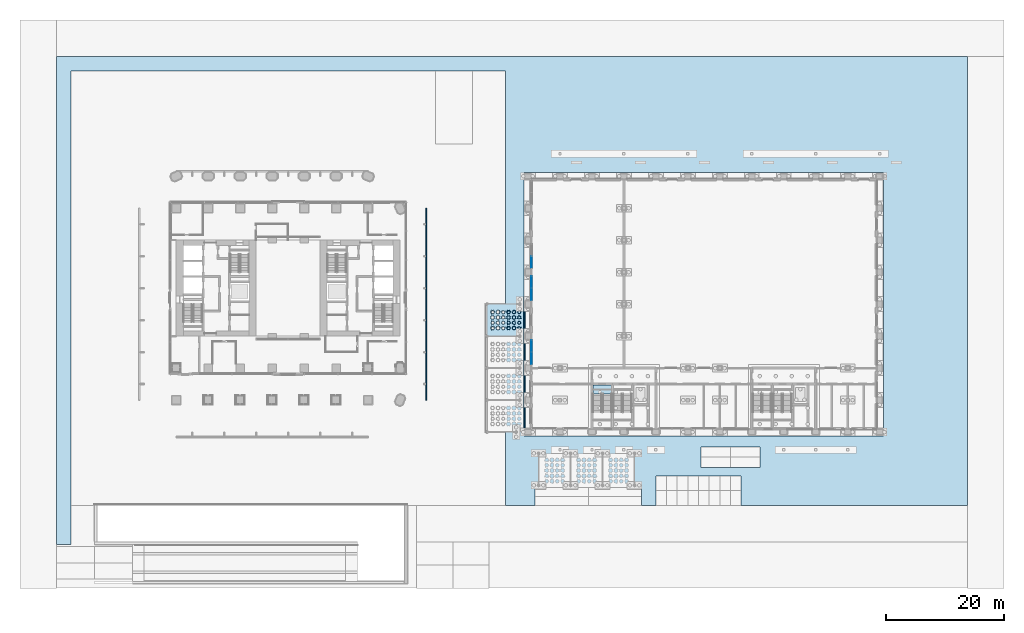
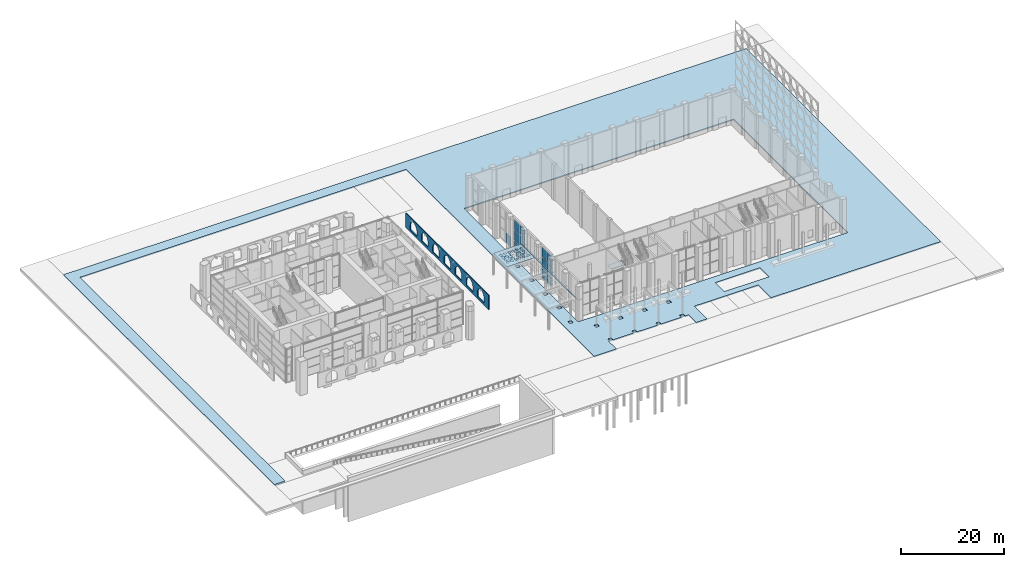
# One storey, part 24 of 54: 16 plates, 2 slabs, 4 elements without a shape of their own.
"""IFC4 building model written with IfcOpenShell, lengths in metres."""

from ifc_helpers import new_model, si_unit, direction, frame, origin, origin_2d, place, context, subcontext, project, spatial, polyline, rectangle, outline, extrude, material, layer, layer_set, type_object, element, aggregate, save


model = new_model("IFC4")

# Units and contexts
model_context = context("Model", 3, precision=1e-05, world=origin(), true_north=direction((0.0, 1.0)))
body_context = subcontext(model_context, "Body", "Model", "MODEL_VIEW")
ifc_project = project(units=[si_unit("LENGTHUNIT", "METRE"), si_unit("AREAUNIT", "SQUARE_METRE"), si_unit("VOLUMEUNIT", "CUBIC_METRE"), si_unit("PLANEANGLEUNIT", "RADIAN"), si_unit("MASSUNIT", "GRAM", prefix="KILO")], contexts=[model_context])

# Site, building, storey
site_placement = place(None, origin())
site = spatial("IfcSite", under=ifc_project, at=site_placement, CompositionType="ELEMENT")
building_placement = place(site_placement, origin())
building = spatial("IfcBuilding", under=site, at=building_placement, Name="Tabaq Tower and Sports Hall", CompositionType="ELEMENT")
storey_placement = place(building_placement, origin())
storey = spatial("IfcBuildingStorey", under=building, at=storey_placement, Name="L00", CompositionType="ELEMENT", Elevation=0.0)

# Curtain wall, plates
ifc_material_1 = material(Name="Aluminium alloy 6063-T6 framed glazing", Category="aluminium")
curtain_wall_type = type_object("IfcCurtainWallType", Name="CW6 curtain wall", PredefinedType="USERDEFINED", material=ifc_material_1)
curtain_wall_1_placement = place(storey_placement, origin())
curtain_wall_1 = element("IfcCurtainWall", 1, at=curtain_wall_1_placement, inside=storey, type_object=curtain_wall_type, Name="L00 W hall glazing run", ObjectType="HALL FACADE WALL", PredefinedType="USERDEFINED")
ifc_material_2 = material(Name="Clear low-emissivity glass 28 mm", Category="glass")
ifc_layer_1 = layer(ifc_material_2, 0.031982421875)
ifc_layer_set_1 = layer_set([ifc_layer_1], Name="CW6 glass panel 32")
plate_type_1 = type_object("IfcPlateType", Name="CW6 glass panel 32", PredefinedType="CURTAIN_PANEL", material=ifc_layer_set_1)
plate_1_placement = place(storey_placement, frame((65.39990234375, 12.467529296875, 0.16015625), z_axis=(0.0, 0.0, 1.0), x_axis=(0.0, 1.0, 0.0)))
plate_1 = element("IfcPlate", 2, at=plate_1_placement, type_object=plate_type_1, Name="CW6 panel 1.1", PredefinedType="CURTAIN_PANEL", context=body_context, shape_type="SweptSolid", body=[
    extrude(rectangle(XDim=1.9951171875, YDim=0.031982421875, at=origin_2d()), origin(), (0.0, 0.0, 1.0), 2.360107421875),
])
plate_2_placement = place(storey_placement, frame((65.39990234375, 12.467529296875, 2.679931640625), z_axis=(0.0, 0.0, 1.0), x_axis=(0.0, 1.0, 0.0)))
plate_2 = element("IfcPlate", 3, at=plate_2_placement, type_object=plate_type_1, Name="CW6 panel 1.2", PredefinedType="CURTAIN_PANEL", context=body_context, shape_type="SweptSolid", body=[
    extrude(rectangle(XDim=1.9951171875, YDim=0.031982421875, at=origin_2d()), origin(), (0.0, 0.0, 1.0), 2.43994140625),
])
plate_3_placement = place(storey_placement, frame((65.39990234375, 12.467529296875, 5.27978515625), z_axis=(0.0, 0.0, 1.0), x_axis=(0.0, 1.0, 0.0)))
plate_3 = element("IfcPlate", 4, at=plate_3_placement, type_object=plate_type_1, Name="CW6 panel 1.3", PredefinedType="CURTAIN_PANEL", context=body_context, shape_type="SweptSolid", body=[
    extrude(rectangle(XDim=1.9951171875, YDim=0.031982421875, at=origin_2d()), origin(), (0.0, 0.0, 1.0), 2.360107421875),
])
plate_4_placement = place(storey_placement, frame((65.39990234375, 14.532470703125, 0.16015625), z_axis=(0.0, 0.0, 1.0), x_axis=(0.0, 1.0, 0.0)))
plate_4 = element("IfcPlate", 5, at=plate_4_placement, type_object=plate_type_1, Name="CW6 panel 2.1", PredefinedType="CURTAIN_PANEL", context=body_context, shape_type="SweptSolid", body=[
    extrude(rectangle(XDim=1.9951171875, YDim=0.031982421875, at=origin_2d()), origin(), (0.0, 0.0, 1.0), 2.360107421875),
])
plate_5_placement = place(storey_placement, frame((65.39990234375, 14.532470703125, 2.679931640625), z_axis=(0.0, 0.0, 1.0), x_axis=(0.0, 1.0, 0.0)))
plate_5 = element("IfcPlate", 6, at=plate_5_placement, type_object=plate_type_1, Name="CW6 panel 2.2", PredefinedType="CURTAIN_PANEL", context=body_context, shape_type="SweptSolid", body=[
    extrude(rectangle(XDim=1.9951171875, YDim=0.031982421875, at=origin_2d()), origin(), (0.0, 0.0, 1.0), 2.43994140625),
])
plate_6_placement = place(storey_placement, frame((65.39990234375, 14.532470703125, 5.27978515625), z_axis=(0.0, 0.0, 1.0), x_axis=(0.0, 1.0, 0.0)))
plate_6 = element("IfcPlate", 7, at=plate_6_placement, type_object=plate_type_1, Name="CW6 panel 2.3", PredefinedType="CURTAIN_PANEL", context=body_context, shape_type="SweptSolid", body=[
    extrude(rectangle(XDim=1.9951171875, YDim=0.031982421875, at=origin_2d()), origin(), (0.0, 0.0, 1.0), 2.360107421875),
])
aggregate(curtain_wall_1, [plate_1, plate_2, plate_3, plate_4, plate_5, plate_6])

curtain_wall_2_placement = place(storey_placement, origin())
curtain_wall_2 = element("IfcCurtainWall", 8, at=curtain_wall_2_placement, inside=storey, type_object=curtain_wall_type, Name="L00 W hall glazing run", ObjectType="HALL FACADE WALL", PredefinedType="USERDEFINED")
plate_7_placement = place(storey_placement, frame((65.39990234375, 23.267578125, 0.16015625), z_axis=(0.0, 0.0, 1.0), x_axis=(0.0, 1.0, 0.0)))
plate_7 = element("IfcPlate", 9, at=plate_7_placement, type_object=plate_type_1, Name="CW6 panel 1.1", PredefinedType="CURTAIN_PANEL", context=body_context, shape_type="SweptSolid", body=[
    extrude(rectangle(XDim=1.9951171875, YDim=0.031982421875, at=origin_2d()), origin(), (0.0, 0.0, 1.0), 2.360107421875),
])
plate_8_placement = place(storey_placement, frame((65.39990234375, 23.267578125, 2.679931640625), z_axis=(0.0, 0.0, 1.0), x_axis=(0.0, 1.0, 0.0)))
plate_8 = element("IfcPlate", 10, at=plate_8_placement, type_object=plate_type_1, Name="CW6 panel 1.2", PredefinedType="CURTAIN_PANEL", context=body_context, shape_type="SweptSolid", body=[
    extrude(rectangle(XDim=1.9951171875, YDim=0.031982421875, at=origin_2d()), origin(), (0.0, 0.0, 1.0), 2.43994140625),
])
plate_9_placement = place(storey_placement, frame((65.39990234375, 23.267578125, 5.27978515625), z_axis=(0.0, 0.0, 1.0), x_axis=(0.0, 1.0, 0.0)))
plate_9 = element("IfcPlate", 11, at=plate_9_placement, type_object=plate_type_1, Name="CW6 panel 1.3", PredefinedType="CURTAIN_PANEL", context=body_context, shape_type="SweptSolid", body=[
    extrude(rectangle(XDim=1.9951171875, YDim=0.031982421875, at=origin_2d()), origin(), (0.0, 0.0, 1.0), 2.360107421875),
])
plate_10_placement = place(storey_placement, frame((65.39990234375, 25.33251953125, 0.16015625), z_axis=(0.0, 0.0, 1.0), x_axis=(0.0, 1.0, 0.0)))
plate_10 = element("IfcPlate", 12, at=plate_10_placement, type_object=plate_type_1, Name="CW6 panel 2.1", PredefinedType="CURTAIN_PANEL", context=body_context, shape_type="SweptSolid", body=[
    extrude(rectangle(XDim=1.9951171875, YDim=0.031982421875, at=origin_2d()), origin(), (0.0, 0.0, 1.0), 2.360107421875),
])
plate_11_placement = place(storey_placement, frame((65.39990234375, 25.33251953125, 2.679931640625), z_axis=(0.0, 0.0, 1.0), x_axis=(0.0, 1.0, 0.0)))
plate_11 = element("IfcPlate", 13, at=plate_11_placement, type_object=plate_type_1, Name="CW6 panel 2.2", PredefinedType="CURTAIN_PANEL", context=body_context, shape_type="SweptSolid", body=[
    extrude(rectangle(XDim=1.9951171875, YDim=0.031982421875, at=origin_2d()), origin(), (0.0, 0.0, 1.0), 2.43994140625),
])
plate_12_placement = place(storey_placement, frame((65.39990234375, 25.33251953125, 5.27978515625), z_axis=(0.0, 0.0, 1.0), x_axis=(0.0, 1.0, 0.0)))
plate_12 = element("IfcPlate", 14, at=plate_12_placement, type_object=plate_type_1, Name="CW6 panel 2.3", PredefinedType="CURTAIN_PANEL", context=body_context, shape_type="SweptSolid", body=[
    extrude(rectangle(XDim=1.9951171875, YDim=0.031982421875, at=origin_2d()), origin(), (0.0, 0.0, 1.0), 2.360107421875),
])
aggregate(curtain_wall_2, [plate_7, plate_8, plate_9, plate_10, plate_11, plate_12])

# Curtain wall, plate
curtain_wall_3_placement = place(storey_placement, origin())
curtain_wall_3 = element("IfcCurtainWall", 15, at=curtain_wall_3_placement, inside=storey, type_object=curtain_wall_type, Name="L00 W hall glazing run", ObjectType="HALL FACADE WALL", PredefinedType="USERDEFINED")
plate_13_placement = place(storey_placement, frame((65.39990234375, 28.66748046875, 0.16015625), z_axis=(0.0, 0.0, 1.0), x_axis=(0.0, 1.0, 0.0)))
plate_13 = element("IfcPlate", 16, at=plate_13_placement, type_object=plate_type_1, Name="CW6 panel 1.1", PredefinedType="CURTAIN_PANEL", context=body_context, shape_type="SweptSolid", body=[
    extrude(rectangle(XDim=1.9951171875, YDim=0.031982421875, at=origin_2d()), origin(), (0.0, 0.0, 1.0), 2.360107421875),
])
aggregate(curtain_wall_3, [plate_13])

# Stair, slab
ifc_material_3 = material(Name="Concrete C40/50", Category="concrete")
stair_type = type_object("IfcStairType", Name="HALL STAIR HALF-TURN", PredefinedType="HALF_TURN_STAIR", material=ifc_material_3)
stair_placement = place(storey_placement, origin())
stair = element("IfcStair", 17, at=stair_placement, inside=storey, type_object=stair_type, Name="L00 Stair H1", PredefinedType="HALF_TURN_STAIR")
ifc_material_4 = material(Name="Concrete C40/50", Category="concrete")
ifc_layer_2 = layer(ifc_material_4, 0.199951171875)
ifc_layer_set_2 = layer_set([ifc_layer_2], Name="HALL STAIR LANDING 200")
slab_type_1 = type_object("IfcSlabType", Name="HALL STAIR LANDING 200", PredefinedType="LANDING", material=ifc_layer_set_2)
slab_1_placement = place(storey_placement, frame((0.0, 0.0, 4.0)))
slab_1 = element("IfcSlab", 18, at=slab_1_placement, type_object=slab_type_1, Name="ST-H1 landing 2", PredefinedType="LANDING", context=body_context, shape_type="SweptSolid", body=[
    extrude(outline(polyline([(75.75, 7.949951171875), (75.75, 6.449951171875), (78.89990234375, 6.449951171875), (78.89990234375, 7.949951171875), (75.75, 7.949951171875)])), origin(), (0.0, 0.0, 1.0), 0.199951171875),
])
aggregate(stair, [slab_1])

# Plate
ifc_material_5 = material(Name="Stainless steel grade 1.4401 cover plate", Category="steel")
ifc_layer_3 = layer(ifc_material_5, 0.010009765625)
ifc_layer_set_3 = layer_set([ifc_layer_3], Name="MOVEMENT JOINT COVER 10")
plate_type_2 = type_object("IfcPlateType", Name="MOVEMENT JOINT COVER 10", PredefinedType="USERDEFINED", material=ifc_layer_set_3)
plate_14_placement = place(storey_placement, frame((0.0, 0.0, 5.050048828125)))
element("IfcPlate", 19, at=plate_14_placement, inside=storey, type_object=plate_type_2, Name="Movement joint cover", ObjectType="JOINT COVER", PredefinedType="USERDEFINED", context=body_context, shape_type="SweptSolid", body=[
    extrude(outline(polyline([(64.10009765625, 0.0), (64.35009765625, 0.0), (64.35009765625, 21.60009765625), (64.10009765625, 21.60009765625), (64.10009765625, 0.0)])), origin(), (0.0, 0.0, 1.0), 0.010009765625),
])

# Slab
ifc_material_6 = material(Name="Precast concrete C35/45 paving units on compacted limestone sub-base", Category="masonry")
ifc_layer_4 = layer(ifc_material_6, 0.25)
ifc_layer_set_4 = layer_set([ifc_layer_4], Name="PLAZA PAVING 250")
slab_type_2 = type_object("IfcSlabType", Name="PLAZA PAVING 250", PredefinedType="USERDEFINED", material=ifc_layer_set_4)
slab_2_placement = place(storey_placement, frame((0.0, 0.0, -0.25)))
element("IfcSlab", 20, at=slab_2_placement, inside=storey, type_object=slab_type_2, Name="Plaza and forecourt paving", ObjectType="PAVING", PredefinedType="USERDEFINED", context=body_context, shape_type="SweptSolid", body=[
    extrude(outline(polyline([(100.800048828125, -12.39990234375), (139.0, -12.39990234375), (139.0, 61.0), (139.0, 63.39990234375), (61.0, 63.39990234375), (-12.39990234375, 63.39990234375), (-14.800048828125, 63.39990234375), (-14.800048828125, -19.0), (-12.39990234375, -19.0), (-12.39990234375, -12.39990234375), (-12.39990234375, 61.0), (61.0, 61.0), (61.0, -12.39990234375), (66.0, -12.39990234375), (66.0, -9.39990234375), (66.199951171875, -9.39990234375), (66.199951171875, -8.60009765625), (67.0, -8.60009765625), (67.0, -9.39990234375), (71.60009765625, -9.39990234375), (71.60009765625, -8.60009765625), (72.39990234375, -8.60009765625), (72.39990234375, -9.39990234375), (77.0, -9.39990234375), (77.0, -8.60009765625), (77.800048828125, -8.60009765625), (77.800048828125, -9.39990234375), (82.39990234375, -9.39990234375), (82.39990234375, -8.60009765625), (83.199951171875, -8.60009765625), (83.199951171875, -9.39990234375), (84.0, -9.39990234375), (84.0, -12.39990234375), (86.39990234375, -12.39990234375), (86.39990234375, -7.39990234375), (90.0, -7.39990234375), (93.60009765625, -7.39990234375), (97.199951171875, -7.39990234375), (100.800048828125, -7.39990234375), (100.800048828125, -12.39990234375)]), holes=[polyline([(124.85009765625, 43.85009765625), (124.85009765625, -0.64990234375), (64.14990234375, -0.64990234375), (64.14990234375, 43.85009765625), (124.85009765625, 43.85009765625)]), polyline([(94.0, -6.0), (94.0, -2.5), (104.0, -2.5), (104.0, -6.0), (94.0, -6.0)]), polyline([(67.0, -4.0), (66.199951171875, -4.0), (66.199951171875, -3.199951171875), (67.0, -3.199951171875), (67.0, -4.0)]), polyline([(63.199951171875, -0.39990234375), (62.39990234375, -0.39990234375), (62.39990234375, 0.39990234375), (63.199951171875, 0.39990234375), (63.199951171875, -0.39990234375)]), polyline([(63.800048828125, 5.800048828125), (63.800048828125, 5.0), (63.0, 5.0), (63.0, 5.800048828125), (63.800048828125, 5.800048828125)]), polyline([(63.800048828125, 10.39990234375), (63.0, 10.39990234375), (63.0, 11.199951171875), (63.800048828125, 11.199951171875), (63.800048828125, 10.39990234375)]), polyline([(63.800048828125, 15.800048828125), (63.0, 15.800048828125), (63.0, 16.60009765625), (63.800048828125, 16.60009765625), (63.800048828125, 15.800048828125)]), polyline([(63.800048828125, 22.0), (63.800048828125, 21.199951171875), (63.0, 21.199951171875), (63.0, 22.0), (63.800048828125, 22.0)]), polyline([(72.39990234375, -4.0), (71.60009765625, -4.0), (71.60009765625, -3.199951171875), (72.39990234375, -3.199951171875), (72.39990234375, -4.0)]), polyline([(77.800048828125, -4.0), (77.0, -4.0), (77.0, -3.199951171875), (77.800048828125, -3.199951171875), (77.800048828125, -4.0)]), polyline([(83.199951171875, -4.0), (82.39990234375, -4.0), (82.39990234375, -3.199951171875), (83.199951171875, -3.199951171875), (83.199951171875, -4.0)])]), origin(), (0.0, 0.0, 1.0), 0.25),
])

# Plates
ifc_material_7 = material(Name="Stainless steel grade 1.4401 pierced panel", Category="steel")
ifc_layer_5 = layer(ifc_material_7, 0.050048828125)
ifc_layer_set_5 = layer_set([ifc_layer_5], Name="SCREEN PIERCED STAR PANEL 50")
plate_type_3 = type_object("IfcPlateType", Name="SCREEN PIERCED STAR PANEL 50", PredefinedType="USERDEFINED", material=ifc_layer_set_5)
plate_15_placement = place(storey_placement, frame((0.0, 0.0, 5.0)))
element("IfcPlate", 21, at=plate_15_placement, inside=storey, type_object=plate_type_3, Name="Plaza canopy screen 4", ObjectType="SCREEN", PredefinedType="USERDEFINED", context=body_context, shape_type="SweptSolid", body=[
    extrude(outline(polyline([(57.89990234375, 16.2099609375), (64.25, 16.2099609375), (64.25, 21.590087890625), (57.89990234375, 21.590087890625), (57.89990234375, 16.2099609375)]), holes=[polyline([(59.02490234375, 17.550048828125), (59.194580078125, 17.39697265625), (58.96630859375, 17.40869140625), (58.97802734375, 17.180419921875), (58.824951171875, 17.35009765625), (58.671875, 17.180419921875), (58.68359375, 17.40869140625), (58.455322265625, 17.39697265625), (58.625, 17.550048828125), (58.455322265625, 17.703125), (58.68359375, 17.69140625), (58.671875, 17.919677734375), (58.824951171875, 17.75), (58.97802734375, 17.919677734375), (58.96630859375, 17.69140625), (59.194580078125, 17.703125), (59.02490234375, 17.550048828125)]), polyline([(59.02490234375, 18.449951171875), (59.194580078125, 18.296875), (58.96630859375, 18.30859375), (58.97802734375, 18.080322265625), (58.824951171875, 18.25), (58.671875, 18.080322265625), (58.68359375, 18.30859375), (58.455322265625, 18.296875), (58.625, 18.449951171875), (58.455322265625, 18.60302734375), (58.68359375, 18.59130859375), (58.671875, 18.819580078125), (58.824951171875, 18.64990234375), (58.97802734375, 18.819580078125), (58.96630859375, 18.59130859375), (59.194580078125, 18.60302734375), (59.02490234375, 18.449951171875)]), polyline([(59.02490234375, 19.35009765625), (59.194580078125, 19.197021484375), (58.96630859375, 19.20849609375), (58.97802734375, 18.98046875), (58.824951171875, 19.14990234375), (58.671875, 18.98046875), (58.68359375, 19.20849609375), (58.455322265625, 19.197021484375), (58.625, 19.35009765625), (58.455322265625, 19.503173828125), (58.68359375, 19.491455078125), (58.671875, 19.719482421875), (58.824951171875, 19.550048828125), (58.97802734375, 19.719482421875), (58.96630859375, 19.491455078125), (59.194580078125, 19.503173828125), (59.02490234375, 19.35009765625)]), polyline([(59.02490234375, 20.25), (59.194580078125, 20.096923828125), (58.96630859375, 20.108642578125), (58.97802734375, 19.88037109375), (58.824951171875, 20.050048828125), (58.671875, 19.88037109375), (58.68359375, 20.108642578125), (58.455322265625, 20.096923828125), (58.625, 20.25), (58.455322265625, 20.403076171875), (58.68359375, 20.391357421875), (58.671875, 20.61962890625), (58.824951171875, 20.449951171875), (58.97802734375, 20.61962890625), (58.96630859375, 20.391357421875), (59.194580078125, 20.403076171875), (59.02490234375, 20.25)]), polyline([(59.925048828125, 17.550048828125), (60.094482421875, 17.39697265625), (59.866455078125, 17.40869140625), (59.878173828125, 17.180419921875), (59.72509765625, 17.35009765625), (59.572021484375, 17.180419921875), (59.58349609375, 17.40869140625), (59.35546875, 17.39697265625), (59.52490234375, 17.550048828125), (59.35546875, 17.703125), (59.58349609375, 17.69140625), (59.572021484375, 17.919677734375), (59.72509765625, 17.75), (59.878173828125, 17.919677734375), (59.866455078125, 17.69140625), (60.094482421875, 17.703125), (59.925048828125, 17.550048828125)]), polyline([(59.925048828125, 18.449951171875), (60.094482421875, 18.296875), (59.866455078125, 18.30859375), (59.878173828125, 18.080322265625), (59.72509765625, 18.25), (59.572021484375, 18.080322265625), (59.58349609375, 18.30859375), (59.35546875, 18.296875), (59.52490234375, 18.449951171875), (59.35546875, 18.60302734375), (59.58349609375, 18.59130859375), (59.572021484375, 18.819580078125), (59.72509765625, 18.64990234375), (59.878173828125, 18.819580078125), (59.866455078125, 18.59130859375), (60.094482421875, 18.60302734375), (59.925048828125, 18.449951171875)]), polyline([(59.925048828125, 19.35009765625), (60.094482421875, 19.197021484375), (59.866455078125, 19.20849609375), (59.878173828125, 18.98046875), (59.72509765625, 19.14990234375), (59.572021484375, 18.98046875), (59.58349609375, 19.20849609375), (59.35546875, 19.197021484375), (59.52490234375, 19.35009765625), (59.35546875, 19.503173828125), (59.58349609375, 19.491455078125), (59.572021484375, 19.719482421875), (59.72509765625, 19.550048828125), (59.878173828125, 19.719482421875), (59.866455078125, 19.491455078125), (60.094482421875, 19.503173828125), (59.925048828125, 19.35009765625)]), polyline([(59.925048828125, 20.25), (60.094482421875, 20.096923828125), (59.866455078125, 20.108642578125), (59.878173828125, 19.88037109375), (59.72509765625, 20.050048828125), (59.572021484375, 19.88037109375), (59.58349609375, 20.108642578125), (59.35546875, 20.096923828125), (59.52490234375, 20.25), (59.35546875, 20.403076171875), (59.58349609375, 20.391357421875), (59.572021484375, 20.61962890625), (59.72509765625, 20.449951171875), (59.878173828125, 20.61962890625), (59.866455078125, 20.391357421875), (60.094482421875, 20.403076171875), (59.925048828125, 20.25)]), polyline([(60.824951171875, 17.550048828125), (60.99462890625, 17.39697265625), (60.766357421875, 17.40869140625), (60.778076171875, 17.180419921875), (60.625, 17.35009765625), (60.471923828125, 17.180419921875), (60.483642578125, 17.40869140625), (60.25537109375, 17.39697265625), (60.425048828125, 17.550048828125), (60.25537109375, 17.703125), (60.483642578125, 17.69140625), (60.471923828125, 17.919677734375), (60.625, 17.75), (60.778076171875, 17.919677734375), (60.766357421875, 17.69140625), (60.99462890625, 17.703125), (60.824951171875, 17.550048828125)]), polyline([(60.824951171875, 18.449951171875), (60.99462890625, 18.296875), (60.766357421875, 18.30859375), (60.778076171875, 18.080322265625), (60.625, 18.25), (60.471923828125, 18.080322265625), (60.483642578125, 18.30859375), (60.25537109375, 18.296875), (60.425048828125, 18.449951171875), (60.25537109375, 18.60302734375), (60.483642578125, 18.59130859375), (60.471923828125, 18.819580078125), (60.625, 18.64990234375), (60.778076171875, 18.819580078125), (60.766357421875, 18.59130859375), (60.99462890625, 18.60302734375), (60.824951171875, 18.449951171875)]), polyline([(60.824951171875, 19.35009765625), (60.99462890625, 19.197021484375), (60.766357421875, 19.20849609375), (60.778076171875, 18.98046875), (60.625, 19.14990234375), (60.471923828125, 18.98046875), (60.483642578125, 19.20849609375), (60.25537109375, 19.197021484375), (60.425048828125, 19.35009765625), (60.25537109375, 19.503173828125), (60.483642578125, 19.491455078125), (60.471923828125, 19.719482421875), (60.625, 19.550048828125), (60.778076171875, 19.719482421875), (60.766357421875, 19.491455078125), (60.99462890625, 19.503173828125), (60.824951171875, 19.35009765625)]), polyline([(60.824951171875, 20.25), (60.99462890625, 20.096923828125), (60.766357421875, 20.108642578125), (60.778076171875, 19.88037109375), (60.625, 20.050048828125), (60.471923828125, 19.88037109375), (60.483642578125, 20.108642578125), (60.25537109375, 20.096923828125), (60.425048828125, 20.25), (60.25537109375, 20.403076171875), (60.483642578125, 20.391357421875), (60.471923828125, 20.61962890625), (60.625, 20.449951171875), (60.778076171875, 20.61962890625), (60.766357421875, 20.391357421875), (60.99462890625, 20.403076171875), (60.824951171875, 20.25)]), polyline([(61.72509765625, 17.550048828125), (61.89453125, 17.39697265625), (61.66650390625, 17.40869140625), (61.677978515625, 17.180419921875), (61.52490234375, 17.35009765625), (61.371826171875, 17.180419921875), (61.383544921875, 17.40869140625), (61.155517578125, 17.39697265625), (61.324951171875, 17.550048828125), (61.155517578125, 17.703125), (61.383544921875, 17.69140625), (61.371826171875, 17.919677734375), (61.52490234375, 17.75), (61.677978515625, 17.919677734375), (61.66650390625, 17.69140625), (61.89453125, 17.703125), (61.72509765625, 17.550048828125)]), polyline([(61.72509765625, 18.449951171875), (61.89453125, 18.296875), (61.66650390625, 18.30859375), (61.677978515625, 18.080322265625), (61.52490234375, 18.25), (61.371826171875, 18.080322265625), (61.383544921875, 18.30859375), (61.155517578125, 18.296875), (61.324951171875, 18.449951171875), (61.155517578125, 18.60302734375), (61.383544921875, 18.59130859375), (61.371826171875, 18.819580078125), (61.52490234375, 18.64990234375), (61.677978515625, 18.819580078125), (61.66650390625, 18.59130859375), (61.89453125, 18.60302734375), (61.72509765625, 18.449951171875)]), polyline([(61.72509765625, 19.35009765625), (61.89453125, 19.197021484375), (61.66650390625, 19.20849609375), (61.677978515625, 18.98046875), (61.52490234375, 19.14990234375), (61.371826171875, 18.98046875), (61.383544921875, 19.20849609375), (61.155517578125, 19.197021484375), (61.324951171875, 19.35009765625), (61.155517578125, 19.503173828125), (61.383544921875, 19.491455078125), (61.371826171875, 19.719482421875), (61.52490234375, 19.550048828125), (61.677978515625, 19.719482421875), (61.66650390625, 19.491455078125), (61.89453125, 19.503173828125), (61.72509765625, 19.35009765625)]), polyline([(61.72509765625, 20.25), (61.89453125, 20.096923828125), (61.66650390625, 20.108642578125), (61.677978515625, 19.88037109375), (61.52490234375, 20.050048828125), (61.371826171875, 19.88037109375), (61.383544921875, 20.108642578125), (61.155517578125, 20.096923828125), (61.324951171875, 20.25), (61.155517578125, 20.403076171875), (61.383544921875, 20.391357421875), (61.371826171875, 20.61962890625), (61.52490234375, 20.449951171875), (61.677978515625, 20.61962890625), (61.66650390625, 20.391357421875), (61.89453125, 20.403076171875), (61.72509765625, 20.25)]), polyline([(62.625, 17.550048828125), (62.794677734375, 17.39697265625), (62.56640625, 17.40869140625), (62.578125, 17.180419921875), (62.425048828125, 17.35009765625), (62.27197265625, 17.180419921875), (62.28369140625, 17.40869140625), (62.055419921875, 17.39697265625), (62.22509765625, 17.550048828125), (62.055419921875, 17.703125), (62.28369140625, 17.69140625), (62.27197265625, 17.919677734375), (62.425048828125, 17.75), (62.578125, 17.919677734375), (62.56640625, 17.69140625), (62.794677734375, 17.703125), (62.625, 17.550048828125)]), polyline([(62.625, 18.449951171875), (62.794677734375, 18.296875), (62.56640625, 18.30859375), (62.578125, 18.080322265625), (62.425048828125, 18.25), (62.27197265625, 18.080322265625), (62.28369140625, 18.30859375), (62.055419921875, 18.296875), (62.22509765625, 18.449951171875), (62.055419921875, 18.60302734375), (62.28369140625, 18.59130859375), (62.27197265625, 18.819580078125), (62.425048828125, 18.64990234375), (62.578125, 18.819580078125), (62.56640625, 18.59130859375), (62.794677734375, 18.60302734375), (62.625, 18.449951171875)]), polyline([(62.625, 19.35009765625), (62.794677734375, 19.197021484375), (62.56640625, 19.20849609375), (62.578125, 18.98046875), (62.425048828125, 19.14990234375), (62.27197265625, 18.98046875), (62.28369140625, 19.20849609375), (62.055419921875, 19.197021484375), (62.22509765625, 19.35009765625), (62.055419921875, 19.503173828125), (62.28369140625, 19.491455078125), (62.27197265625, 19.719482421875), (62.425048828125, 19.550048828125), (62.578125, 19.719482421875), (62.56640625, 19.491455078125), (62.794677734375, 19.503173828125), (62.625, 19.35009765625)]), polyline([(62.625, 20.25), (62.794677734375, 20.096923828125), (62.56640625, 20.108642578125), (62.578125, 19.88037109375), (62.425048828125, 20.050048828125), (62.27197265625, 19.88037109375), (62.28369140625, 20.108642578125), (62.055419921875, 20.096923828125), (62.22509765625, 20.25), (62.055419921875, 20.403076171875), (62.28369140625, 20.391357421875), (62.27197265625, 20.61962890625), (62.425048828125, 20.449951171875), (62.578125, 20.61962890625), (62.56640625, 20.391357421875), (62.794677734375, 20.403076171875), (62.625, 20.25)]), polyline([(63.52490234375, 17.550048828125), (63.694580078125, 17.39697265625), (63.46630859375, 17.40869140625), (63.47802734375, 17.180419921875), (63.324951171875, 17.35009765625), (63.171875, 17.180419921875), (63.18359375, 17.40869140625), (62.955322265625, 17.39697265625), (63.125, 17.550048828125), (62.955322265625, 17.703125), (63.18359375, 17.69140625), (63.171875, 17.919677734375), (63.324951171875, 17.75), (63.47802734375, 17.919677734375), (63.46630859375, 17.69140625), (63.694580078125, 17.703125), (63.52490234375, 17.550048828125)]), polyline([(63.52490234375, 18.449951171875), (63.694580078125, 18.296875), (63.46630859375, 18.30859375), (63.47802734375, 18.080322265625), (63.324951171875, 18.25), (63.171875, 18.080322265625), (63.18359375, 18.30859375), (62.955322265625, 18.296875), (63.125, 18.449951171875), (62.955322265625, 18.60302734375), (63.18359375, 18.59130859375), (63.171875, 18.819580078125), (63.324951171875, 18.64990234375), (63.47802734375, 18.819580078125), (63.46630859375, 18.59130859375), (63.694580078125, 18.60302734375), (63.52490234375, 18.449951171875)]), polyline([(63.52490234375, 19.35009765625), (63.694580078125, 19.197021484375), (63.46630859375, 19.20849609375), (63.47802734375, 18.98046875), (63.324951171875, 19.14990234375), (63.171875, 18.98046875), (63.18359375, 19.20849609375), (62.955322265625, 19.197021484375), (63.125, 19.35009765625), (62.955322265625, 19.503173828125), (63.18359375, 19.491455078125), (63.171875, 19.719482421875), (63.324951171875, 19.550048828125), (63.47802734375, 19.719482421875), (63.46630859375, 19.491455078125), (63.694580078125, 19.503173828125), (63.52490234375, 19.35009765625)]), polyline([(63.52490234375, 20.25), (63.694580078125, 20.096923828125), (63.46630859375, 20.108642578125), (63.47802734375, 19.88037109375), (63.324951171875, 20.050048828125), (63.171875, 19.88037109375), (63.18359375, 20.108642578125), (62.955322265625, 20.096923828125), (63.125, 20.25), (62.955322265625, 20.403076171875), (63.18359375, 20.391357421875), (63.171875, 20.61962890625), (63.324951171875, 20.449951171875), (63.47802734375, 20.61962890625), (63.46630859375, 20.391357421875), (63.694580078125, 20.403076171875), (63.52490234375, 20.25)])]), origin(), (0.0, 0.0, 1.0), 0.050048828125),
])
ifc_material_8 = material(Name="White precast concrete C60/75 pierced screen", Category="concrete")
ifc_layer_6 = layer(ifc_material_8, 0.199951171875)
ifc_layer_set_6 = layer_set([ifc_layer_6], Name="White precast concrete C60/75 arcade screen 200")
plate_type_4 = type_object("IfcPlateType", Name="White precast concrete C60/75 arcade screen 200", PredefinedType="USERDEFINED", material=ifc_layer_set_6)
plate_16_placement = place(storey_placement, frame((47.60009765625, 5.39990234375, 5.0), z_axis=(0.0, 0.0, 1.0), x_axis=(0.0, 1.0, 0.0)))
element("IfcPlate", 22, at=plate_16_placement, inside=storey, type_object=plate_type_4, Name="Arcade screen E", ObjectType="SCREEN", PredefinedType="USERDEFINED", context=body_context, shape_type="SweptSolid", body=[
    extrude(outline(polyline([(0.0, 0.0), (32.400146484375, 0.0), (32.400146484375, 3.39990234375), (0.0, 3.39990234375), (0.0, 0.0)]), holes=[polyline([(1.800048828125, 0.5), (4.371337890625, 0.5), (4.371337890625, 1.60009765625), (4.34716796875, 1.859375), (4.275634765625, 2.10986328125), (4.158935546875, 2.343017578125), (4.001220703125, 2.55029296875), (3.807861328125, 2.72509765625), (3.585693359375, 2.861328125), (3.34228515625, 2.953857421875), (3.085693359375, 3.0), (2.829345703125, 2.953857421875), (2.585693359375, 2.861328125), (2.363525390625, 2.72509765625), (2.170166015625, 2.55029296875), (2.012451171875, 2.343017578125), (1.895751953125, 2.10986328125), (1.82421875, 1.859375), (1.800048828125, 1.60009765625), (1.800048828125, 0.5)]), polyline([(6.17138671875, 0.5), (8.742919921875, 0.5), (8.742919921875, 1.60009765625), (8.71875, 1.859375), (8.64697265625, 2.10986328125), (8.5302734375, 2.343017578125), (8.37255859375, 2.55029296875), (8.179443359375, 2.72509765625), (7.95703125, 2.861328125), (7.713623046875, 2.953857421875), (7.45703125, 3.0), (7.20068359375, 2.953857421875), (6.95703125, 2.861328125), (6.73486328125, 2.72509765625), (6.54150390625, 2.55029296875), (6.384033203125, 2.343017578125), (6.267333984375, 2.10986328125), (6.195556640625, 1.859375), (6.17138671875, 1.60009765625), (6.17138671875, 0.5)]), polyline([(10.54296875, 0.5), (13.1142578125, 0.5), (13.1142578125, 1.60009765625), (13.090087890625, 1.859375), (13.0185546875, 2.10986328125), (12.90185546875, 2.343017578125), (12.744140625, 2.55029296875), (12.55078125, 2.72509765625), (12.32861328125, 2.861328125), (12.0849609375, 2.953857421875), (11.82861328125, 3.0), (11.572021484375, 2.953857421875), (11.32861328125, 2.861328125), (11.1064453125, 2.72509765625), (10.9130859375, 2.55029296875), (10.75537109375, 2.343017578125), (10.638671875, 2.10986328125), (10.567138671875, 1.859375), (10.54296875, 1.60009765625), (10.54296875, 0.5)]), polyline([(14.914306640625, 0.5), (17.485595703125, 0.5), (17.485595703125, 1.60009765625), (17.461669921875, 1.859375), (17.389892578125, 2.10986328125), (17.273193359375, 2.343017578125), (17.115478515625, 2.55029296875), (16.922119140625, 2.72509765625), (16.699951171875, 2.861328125), (16.45654296875, 2.953857421875), (16.199951171875, 3.0), (15.943603515625, 2.953857421875), (15.699951171875, 2.861328125), (15.477783203125, 2.72509765625), (15.284423828125, 2.55029296875), (15.126708984375, 2.343017578125), (15.010009765625, 2.10986328125), (14.9384765625, 1.859375), (14.914306640625, 1.60009765625), (14.914306640625, 0.5)]), polyline([(19.28564453125, 0.5), (21.857177734375, 0.5), (21.857177734375, 1.60009765625), (21.8330078125, 1.859375), (21.76123046875, 2.10986328125), (21.64453125, 2.343017578125), (21.487060546875, 2.55029296875), (21.293701171875, 2.72509765625), (21.071533203125, 2.861328125), (20.827880859375, 2.953857421875), (20.571533203125, 3.0), (20.31494140625, 2.953857421875), (20.071533203125, 2.861328125), (19.84912109375, 2.72509765625), (19.656005859375, 2.55029296875), (19.498291015625, 2.343017578125), (19.381591796875, 2.10986328125), (19.309814453125, 1.859375), (19.28564453125, 1.60009765625), (19.28564453125, 0.5)]), polyline([(23.6572265625, 0.5), (26.228515625, 0.5), (26.228515625, 1.60009765625), (26.204345703125, 1.859375), (26.1328125, 2.10986328125), (26.01611328125, 2.343017578125), (25.8583984375, 2.55029296875), (25.6650390625, 2.72509765625), (25.44287109375, 2.861328125), (25.19921875, 2.953857421875), (24.94287109375, 3.0), (24.686279296875, 2.953857421875), (24.44287109375, 2.861328125), (24.220703125, 2.72509765625), (24.02734375, 2.55029296875), (23.86962890625, 2.343017578125), (23.7529296875, 2.10986328125), (23.681396484375, 1.859375), (23.6572265625, 1.60009765625), (23.6572265625, 0.5)]), polyline([(28.028564453125, 0.5), (30.60009765625, 0.5), (30.60009765625, 1.60009765625), (30.575927734375, 1.859375), (30.504150390625, 2.10986328125), (30.387451171875, 2.343017578125), (30.229736328125, 2.55029296875), (30.03662109375, 2.72509765625), (29.814208984375, 2.861328125), (29.57080078125, 2.953857421875), (29.314208984375, 3.0), (29.057861328125, 2.953857421875), (28.814208984375, 2.861328125), (28.592041015625, 2.72509765625), (28.398681640625, 2.55029296875), (28.240966796875, 2.343017578125), (28.124267578125, 2.10986328125), (28.052734375, 1.859375), (28.028564453125, 1.60009765625), (28.028564453125, 0.5)])]), frame((0.0, 0.10009765625, 0.0), z_axis=(0.0, -1.0, 0.0), x_axis=(1.0, 0.0, 0.0)), (0.0, 0.0, 1.0), 0.199951171875),
])

save(model, "model.ifc")
